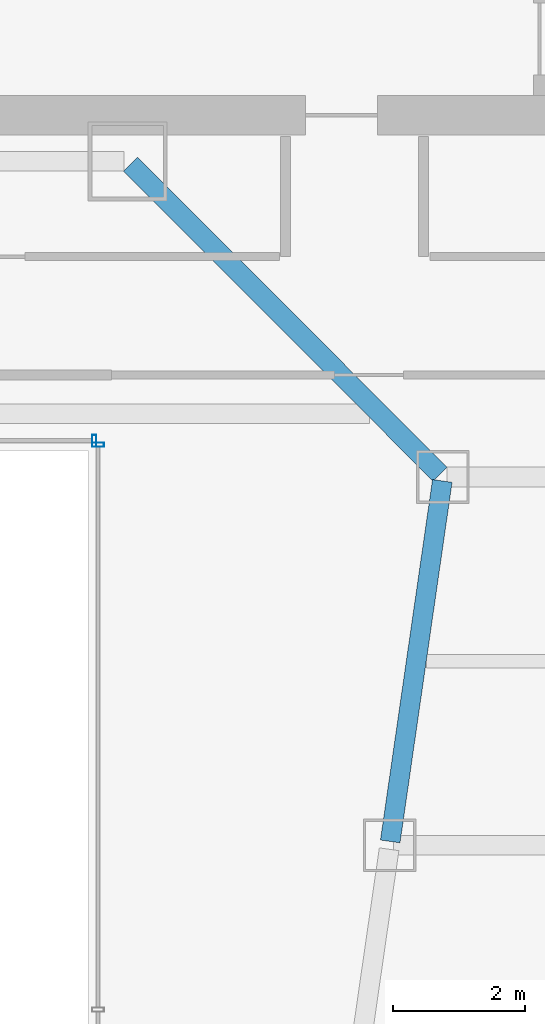
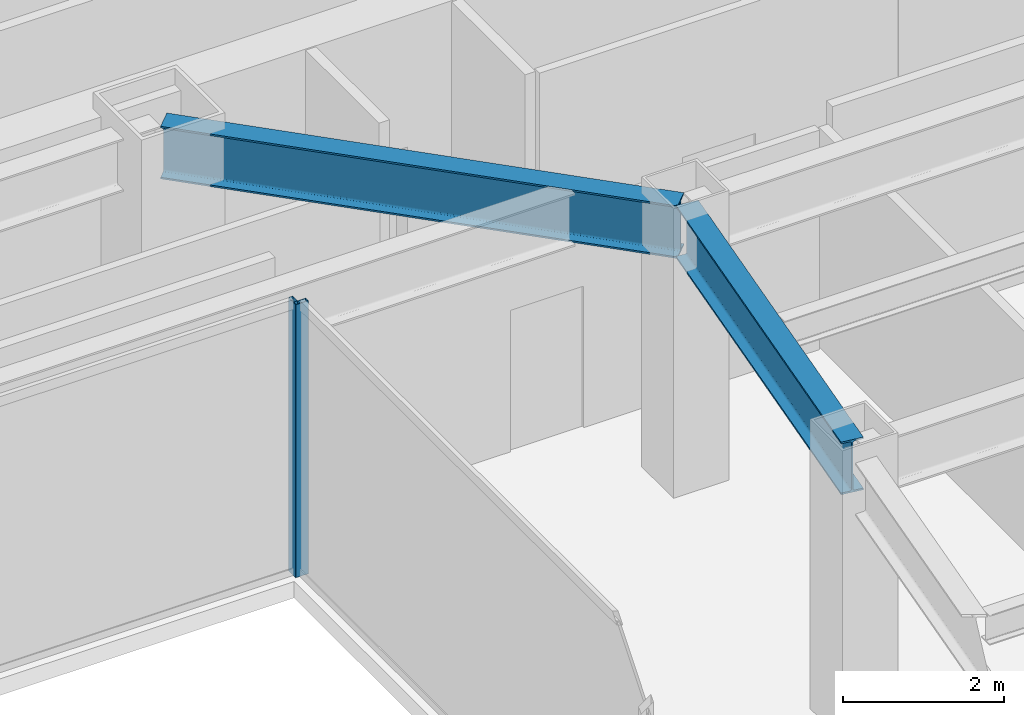
# One storey, part 29 of 47: 2 beams, 2 members, 2 elements without a shape of their own.
"""IFC4 building model written with IfcOpenShell, lengths in metres."""

from ifc_helpers import new_model, si_unit, direction, frame, origin, origin_2d, place, context, subcontext, project, spatial, hollow_rectangle, i_section, extrude, material, material_profile, profile_set, type_object, element, aggregate, save


model = new_model("IFC4")

# Units and contexts
model_context = context("Model", 3, precision=1e-05, world=origin(), true_north=direction((0.0, 1.0)))
body_context = subcontext(model_context, "Body", "Model", "MODEL_VIEW")
ifc_project = project(units=[si_unit("LENGTHUNIT", "METRE"), si_unit("AREAUNIT", "SQUARE_METRE"), si_unit("VOLUMEUNIT", "CUBIC_METRE"), si_unit("PLANEANGLEUNIT", "RADIAN"), si_unit("MASSUNIT", "GRAM", prefix="KILO")], contexts=[model_context])

# Site, building, storey
site_placement = place(None, origin())
site = spatial("IfcSite", under=ifc_project, at=site_placement, CompositionType="ELEMENT")
building_placement = place(site_placement, origin())
building = spatial("IfcBuilding", under=site, at=building_placement, Name="Saevonmaru Cultural Tower", CompositionType="ELEMENT")
storey_placement = place(building_placement, frame((0.0, 0.0, 51.60009765625)))
storey = spatial("IfcBuildingStorey", under=building, at=storey_placement, Name="L10", CompositionType="ELEMENT", Elevation=51.60009765625)

# Beams
ifc_material_1 = material(Name="Steel SM420", Category="steel")
ifc_material_profile_1 = material_profile(ifc_material_1, i_section(OverallWidth=0.300048828125, OverallDepth=0.800048828125, WebThickness=0.013916015625, FlangeThickness=0.02587890625, FilletRadius=0.028076171875, at=origin_2d()), Name="H-800x300x14x26")
ifc_profile_set_1 = profile_set([ifc_material_profile_1], Name="Steel SM420")
beam_type = type_object("IfcBeamType", Name="BM-G-H800", PredefinedType="BEAM", material=ifc_profile_set_1)
beam_1_placement = place(storey_placement, frame((40.3916015625, 32.059326171875, 3.75), z_axis=(0.142964121327, 0.989727871697, 0.0), x_axis=(-0.989727871697, 0.142964121327, 0.0)))
element("IfcBeam", 1, at=beam_1_placement, inside=storey, type_object=beam_type, Name="L10 East Atrium Girder 5", PredefinedType="BEAM", context=body_context, shape_type="SweptSolid", body=[
    extrude(i_section(OverallWidth=0.300048828125, OverallDepth=0.800048828125, WebThickness=0.013916015625, FlangeThickness=0.02587890625, FilletRadius=0.028076171875, at=origin_2d()), origin(), (0.0, 0.0, 1.0), 5.5380859375),
])
beam_2_placement = place(storey_placement, frame((41.149658203125, 37.642578125, 3.75), z_axis=(-0.706538566564, 0.707674539572, 0.0), x_axis=(-0.707674539572, -0.706538566564, 0.0)))
element("IfcBeam", 2, at=beam_2_placement, inside=storey, type_object=beam_type, Name="L10 East Atrium Girder 6", PredefinedType="BEAM", context=body_context, shape_type="SweptSolid", body=[
    extrude(i_section(OverallWidth=0.300048828125, OverallDepth=0.800048828125, WebThickness=0.013916015625, FlangeThickness=0.02587890625, FilletRadius=0.028076171875, at=origin_2d()), origin(), (0.0, 0.0, 1.0), 6.662353515625),
])

# Curtain wall, member
ifc_material_2 = material(Name="Satin Bronze Anodised Aluminium", Category="aluminium")
curtain_wall_type = type_object("IfcCurtainWallType", Name="CW-ATR-GLZ", PredefinedType="NOTDEFINED", material=ifc_material_2)
curtain_wall_1_placement = place(storey_placement, origin())
curtain_wall_1 = element("IfcCurtainWall", 3, at=curtain_wall_1_placement, inside=storey, type_object=curtain_wall_type, Name="L10 Vertical Atrium Glazed Smoke Screen 2", PredefinedType="NOTDEFINED")
ifc_material_profile_2 = material_profile(ifc_material_2, hollow_rectangle(XDim=0.06494140625, YDim=0.179931640625, WallThickness=0.00390625, at=origin_2d()), Name="ALU-MULL-180x65x4")
ifc_profile_set_2 = profile_set([ifc_material_profile_2], Name="Satin Bronze Anodised Aluminium")
member_type = type_object("IfcMemberType", Name="ML-CW-INT-180x65", PredefinedType="MULLION", material=ifc_profile_set_2)
member_1_placement = place(storey_placement, frame((35.949951171875, 38.090087890625, 0.0), z_axis=(0.0, 0.0, 1.0), x_axis=(0.0, 1.0, 0.0)))
member_1 = element("IfcMember", 4, at=member_1_placement, type_object=member_type, Name="CW-ATR-L10-2 mullion 3", PredefinedType="MULLION", context=body_context, shape_type="SweptSolid", body=[
    extrude(hollow_rectangle(XDim=0.06494140625, YDim=0.179931640625, WallThickness=0.00390625, at=origin_2d()), origin(), (0.0, 0.0, 1.0), 4.14990234375),
])
aggregate(curtain_wall_1, [member_1])

curtain_wall_2_placement = place(storey_placement, origin())
curtain_wall_2 = element("IfcCurtainWall", 5, at=curtain_wall_2_placement, inside=storey, type_object=curtain_wall_type, Name="L10 Vertical Atrium Glazed Smoke Screen 3", PredefinedType="NOTDEFINED")
member_2_placement = place(storey_placement, frame((35.889892578125, 38.14990234375, 0.0), z_axis=(0.0, 0.0, 1.0), x_axis=(-1.0, 0.0, 0.0)))
member_2 = element("IfcMember", 6, at=member_2_placement, type_object=member_type, Name="CW-ATR-L10-3 mullion 1", PredefinedType="MULLION", context=body_context, shape_type="SweptSolid", body=[
    extrude(hollow_rectangle(XDim=0.06494140625, YDim=0.179931640625, WallThickness=0.00390625, at=origin_2d()), origin(), (0.0, 0.0, 1.0), 4.14990234375),
])
aggregate(curtain_wall_2, [member_2])

save(model, "model.ifc")
